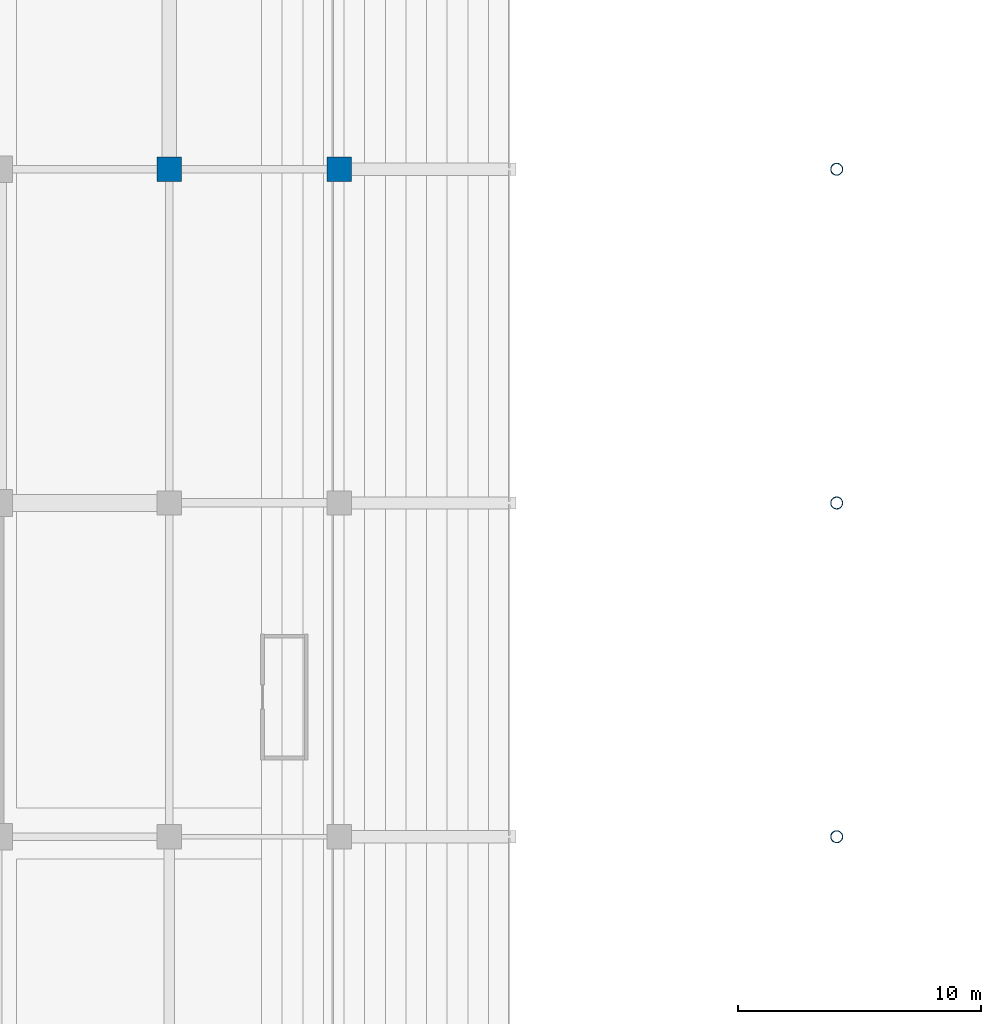
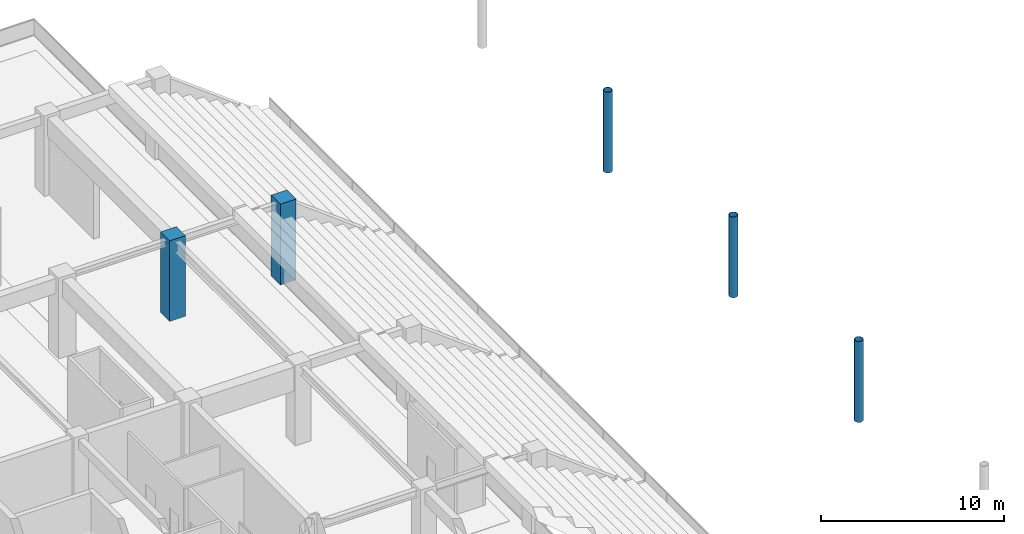
# One storey, part 8 of 117: 5 columns.
"""IFC4 building model written with IfcOpenShell, lengths in metres."""

import ifcopenshell
import ifcopenshell.guid

model = None  # the IFC model being written
_history = None  # IfcOwnerHistory: only IFC2X3 demands one
_inside = {}  # id of a spatial element -> (the spatial element, [elements in it])
_under = {}  # id of a project, library or spatial element -> (it, [spatial elements below it])
_declared = {}  # id of a project -> (the project, [libraries it declares])
_typed = {}  # id of a type object -> (the type object, [elements of that type])
_made_of = {}  # id of a material, layer set ... -> (it, [elements and type objects made of it])


def new_model(schema):
    """Start an empty IFC model of exactly this schema.

    Asked for "IFC4X3", IfcOpenShell would pick the latest addendum, in which some entities
    have other attributes; the version numbers below select the first issue.
    IFC2X3 requires an IfcOwnerHistory on every rooted entity: one is made here for all.
    """
    global model, _history
    if schema == "IFC4X3":
        model = ifcopenshell.file(schema_version=(4, 3, 0, 0))
    else:
        model = ifcopenshell.file(schema=schema)
    _inside.clear()
    _under.clear()
    _declared.clear()
    _typed.clear()
    _made_of.clear()
    _history = None
    if model.schema == "IFC2X3":
        org = make("IfcOrganization", Name="unknown")
        user = make(
            "IfcPersonAndOrganization",
            ThePerson=make("IfcPerson", FamilyName="unknown"),
            TheOrganization=org,
        )
        app = make(
            "IfcApplication",
            ApplicationDeveloper=org,
            Version="unknown",
            ApplicationFullName="unknown",
            ApplicationIdentifier="unknown",
        )
        _history = make(
            "IfcOwnerHistory",
            OwningUser=user,
            OwningApplication=app,
            ChangeAction="ADDED",
            CreationDate=0,
        )
    return model


def make(cls, **values):
    """One entity of the class cls with the attributes given. An attribute that is None is left unset."""
    return model.create_entity(
        cls, **{name: value for name, value in values.items() if value is not None}
    )


def rooted(cls, **values):
    """An entity with a GlobalId (a new one), such as an element, a storey or a relation."""
    return make(cls, GlobalId=ifcopenshell.guid.new(), OwnerHistory=_history, **values)


def si_unit(unit_type, name, prefix=None):
    """IfcSIUnit, for example si_unit("LENGTHUNIT", "METRE", prefix="MILLI")."""
    return make("IfcSIUnit", UnitType=unit_type, Prefix=prefix, Name=name)


def assignment(units):
    """IfcUnitAssignment: the units of a project."""
    return None if units is None else make("IfcUnitAssignment", Units=units)


def point(xyz):
    """IfcCartesianPoint."""
    return None if xyz is None else make("IfcCartesianPoint", Coordinates=xyz)


def direction(xyz):
    """IfcDirection."""
    return None if xyz is None else make("IfcDirection", DirectionRatios=xyz)


def frame(location, z_axis=None, x_axis=None):
    """IfcAxis2Placement3D, a coordinate frame: its origin and axes. An axis left out is left unset."""
    return make(
        "IfcAxis2Placement3D",
        Location=point(location),
        Axis=direction(z_axis),
        RefDirection=direction(x_axis),
    )


def frame_2d(location, x_axis=None):
    """IfcAxis2Placement2D, a coordinate frame in the plane: its origin and x axis."""
    return make(
        "IfcAxis2Placement2D", Location=point(location), RefDirection=direction(x_axis)
    )


def origin():
    """The frame at (0, 0, 0) with its axes left unset."""
    return frame((0.0, 0.0, 0.0))


def origin_2d():
    """The frame at (0, 0) in the plane with its x axis left unset."""
    return frame_2d((0.0, 0.0))


def place(relative_to, where):
    """IfcLocalPlacement: puts the frame where relative to a parent placement (None: the world)."""
    return make(
        "IfcLocalPlacement", PlacementRelTo=relative_to, RelativePlacement=where
    )


def context(
    kind, dimensions, precision=None, world=None, true_north=None, identifier=None
):
    """IfcGeometricRepresentationContext, for example the 3D "Model" context."""
    return make(
        "IfcGeometricRepresentationContext",
        ContextIdentifier=identifier,
        ContextType=kind,
        CoordinateSpaceDimension=dimensions,
        Precision=precision,
        WorldCoordinateSystem=world,
        TrueNorth=true_north,
    )


def subcontext(parent, identifier, kind, view, scale=None):
    """IfcGeometricRepresentationSubContext, for example "Body" below "Model"."""
    return make(
        "IfcGeometricRepresentationSubContext",
        ContextIdentifier=identifier,
        ContextType=kind,
        ParentContext=parent,
        TargetScale=scale,
        TargetView=view,
    )


def project(units=None, contexts=None):
    """IfcProject with its units and contexts."""
    return rooted(
        "IfcProject",
        Name="project",
        RepresentationContexts=contexts,
        UnitsInContext=assignment(units),
    )


def spatial(cls, under=None, at=None, **own):
    """A site, building, storey or space (cls), placed at a placement, below another one or the project."""
    s = rooted(cls, ObjectPlacement=at, **own)
    if under is not None:
        _under.setdefault(under.id(), (under, []))[1].append(s)
    return s


def profile(cls, at=None, kind="AREA", **sizes):
    """A parametric profile (cls). Its sizes go by their IFC names, for example OverallWidth=200.0."""
    return make(cls, ProfileType=kind, Position=at, **sizes)


def rectangle(**sizes):
    """IfcRectangleProfileDef."""
    return profile("IfcRectangleProfileDef", **sizes)


def hollow_circle(**sizes):
    """IfcCircleHollowProfileDef."""
    return profile("IfcCircleHollowProfileDef", **sizes)


def extrude(swept, where, along, depth):
    """IfcExtrudedAreaSolid: the profile swept, set in the frame where, extruded along a direction by depth."""
    return make(
        "IfcExtrudedAreaSolid",
        SweptArea=swept,
        Position=where,
        ExtrudedDirection=direction(along),
        Depth=depth,
    )


def shape(context_of_items, identifier, shape_type, items):
    """IfcShapeRepresentation: the items that make up one representation, for example the "Body"."""
    return make(
        "IfcShapeRepresentation",
        ContextOfItems=context_of_items,
        RepresentationIdentifier=identifier,
        RepresentationType=shape_type,
        Items=items,
    )


def material(Name=None, Category=None):
    """IfcMaterial."""
    return make("IfcMaterial", Name=Name, Category=Category)


def material_profile(
    of_material, cross_section, Name=None, Category=None, Priority=None
):
    """IfcMaterialProfile: a cross section and its material."""
    return make(
        "IfcMaterialProfile",
        Name=Name,
        Material=of_material,
        Profile=cross_section,
        Priority=Priority,
        Category=Category,
    )


def profile_set(profiles, Name=None, composite=None):
    """IfcMaterialProfileSet."""
    return make(
        "IfcMaterialProfileSet",
        Name=Name,
        MaterialProfiles=profiles,
        CompositeProfile=composite,
    )


def made_of(thing, what):
    """Note that an element or type object is made of a material, layer set ...; save() writes the relation."""
    if what is not None:
        _made_of.setdefault(what.id(), (what, []))[1].append(thing)
    return thing


def type_object(cls, material=None, **own):
    """A type object (cls), such as IfcWallType, which elements share."""
    return made_of(rooted(cls, **own), material)


def element(
    cls,
    number,
    at=None,
    inside=None,
    cuts=None,
    type_object=None,
    material=None,
    context=None,
    identifier="Body",
    shape_type=None,
    held_by="IfcProductDefinitionShape",
    body=None,
    shapes=None,
    **own,
):
    """One element of the class cls, such as IfcWall. Its Tag is "e" and its number.

    at: its placement. inside: the storey or other place that contains it. cuts: it is an
    opening in that element (IfcRelVoidsElement). A single representation is given by context,
    identifier, shape_type and body (its items); several are given by shapes. held_by: the class
    of the entity that holds the representations. save() writes the other relations.
    """
    e = rooted(cls, Tag="e%d" % number, ObjectPlacement=at, **own)
    if body is not None:
        shapes = [shape(context, identifier, shape_type, body)]
    if shapes is not None:
        e.Representation = make(held_by, Representations=shapes)
    if inside is not None:
        _inside.setdefault(inside.id(), (inside, []))[1].append(e)
    if cuts is not None:
        rooted(
            "IfcRelVoidsElement", RelatingBuildingElement=cuts, RelatedOpeningElement=e
        )
    if type_object is not None:
        _typed.setdefault(type_object.id(), (type_object, []))[1].append(e)
    return made_of(e, material)


def aggregate(whole, parts):
    """IfcRelAggregates: a whole, such as a stair, and the parts it consists of."""
    return rooted("IfcRelAggregates", RelatingObject=whole, RelatedObjects=parts)


def save(model, path):
    """Write the relations noted so far, then the file.

    IfcRelAggregates (storeys below a building ...), IfcRelContainedInSpatialStructure (elements
    in a storey), IfcRelDefinesByType, IfcRelAssociatesMaterial and IfcRelDeclares: one each for
    every whole, place, type object, material and project.
    """
    for whole, parts in _under.values():
        aggregate(whole, parts)
    for where, things in _inside.values():
        rooted(
            "IfcRelContainedInSpatialStructure",
            RelatedElements=things,
            RelatingStructure=where,
        )
    for kind, things in _typed.values():
        rooted("IfcRelDefinesByType", RelatedObjects=things, RelatingType=kind)
    for what, things in _made_of.values():
        rooted("IfcRelAssociatesMaterial", RelatedObjects=things, RelatingMaterial=what)
    for by, libraries in _declared.values():
        rooted("IfcRelDeclares", RelatingContext=by, RelatedDefinitions=libraries)
    model.write(path)


model = new_model("IFC4")

# Units and contexts
model_context = context("Model", 3, precision=1e-05, world=origin(), true_north=direction((0.0, 1.0)))
body_context = subcontext(model_context, "Body", "Model", "MODEL_VIEW")
ifc_project = project(units=[si_unit("LENGTHUNIT", "METRE"), si_unit("AREAUNIT", "SQUARE_METRE"), si_unit("VOLUMEUNIT", "CUBIC_METRE"), si_unit("PLANEANGLEUNIT", "RADIAN"), si_unit("MASSUNIT", "GRAM", prefix="KILO")], contexts=[model_context])

# Site, building, storey
site_placement = place(None, origin())
site = spatial("IfcSite", under=ifc_project, at=site_placement, CompositionType="ELEMENT")
building_placement = place(site_placement, origin())
building = spatial("IfcBuilding", under=site, at=building_placement, Name="Linyun Crest Stadium", CompositionType="ELEMENT")
storey_placement = place(building_placement, frame((0.0, 0.0, 6.0)))
storey = spatial("IfcBuildingStorey", under=building, at=storey_placement, Name="L02", CompositionType="ELEMENT", Elevation=6.0)

# Columns
ifc_material_1 = material(Name="Concrete C50", Category="concrete")
ifc_material_profile_1 = material_profile(ifc_material_1, rectangle(XDim=1.0, YDim=1.0, at=origin_2d()), Name="RC 1000x1000")
ifc_profile_set_1 = profile_set([ifc_material_profile_1], Name="Concrete C50")
column_type_1 = type_object("IfcColumnType", Name="C05", PredefinedType="COLUMN", material=ifc_profile_set_1)
for number, where, z_axis, x_axis, name in (
    (1, (-63.0, 29.625, 0.0), (0.0, 0.0, 1.0), (1.0, 0.0, 0.0), "Column C05 L02 233"),
    (2, (-56.0, 29.625, 0.0), (0.0, 0.0, 1.0), (1.0, 0.0, 0.0), "Column C05 L02 267"),
):
    element("IfcColumn", number, at=place(storey_placement, frame(where, z_axis=z_axis, x_axis=x_axis)), inside=storey, type_object=column_type_1, Name=name, PredefinedType="COLUMN", context=body_context, shape_type="SweptSolid", body=[
        extrude(rectangle(XDim=1.0, YDim=1.0, at=origin_2d()), origin(), (0.0, 0.0, 1.0), 5.39794921875),
    ])
ifc_material_2 = material(Name="Steel Q355C", Category="steel")
ifc_material_profile_2 = material_profile(ifc_material_2, hollow_circle(Radius=0.25390625, WallThickness=0.02490234375, at=origin_2d()), Name="CHS 508x25")
ifc_profile_set_2 = profile_set([ifc_material_profile_2], Name="Steel Q355C")
column_type_2 = type_object("IfcColumnType", Name="SC05", PredefinedType="COLUMN", material=ifc_profile_set_2)
for number, where, z_axis, x_axis, name in (
    (3, (-35.5, 2.125, 0.0), (0.0, 0.0, 1.0), (1.0, 0.0, 0.0), "Arch colonnade column SC05 L02 10"),
    (4, (-35.5, 15.875, 0.0), (0.0, 0.0, 1.0), (1.0, 0.0, 0.0), "Arch colonnade column SC05 L02 12"),
    (5, (-35.5, 29.625, 0.0), (0.0, 0.0, 1.0), (1.0, 0.0, 0.0), "Arch colonnade column SC05 L02 14"),
):
    element("IfcColumn", number, at=place(storey_placement, frame(where, z_axis=z_axis, x_axis=x_axis)), inside=storey, type_object=column_type_2, Name=name, PredefinedType="COLUMN", context=body_context, shape_type="SweptSolid", body=[
        extrude(hollow_circle(Radius=0.25390625, WallThickness=0.02490234375, at=origin_2d()), origin(), (0.0, 0.0, 1.0), 5.39990234375),
    ])

save(model, "model.ifc")
